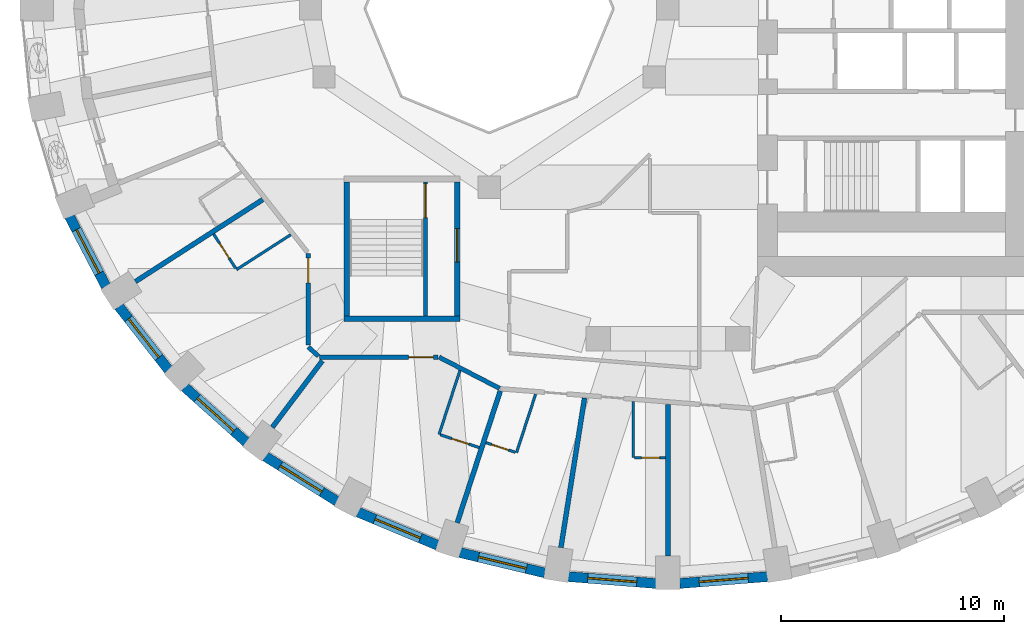
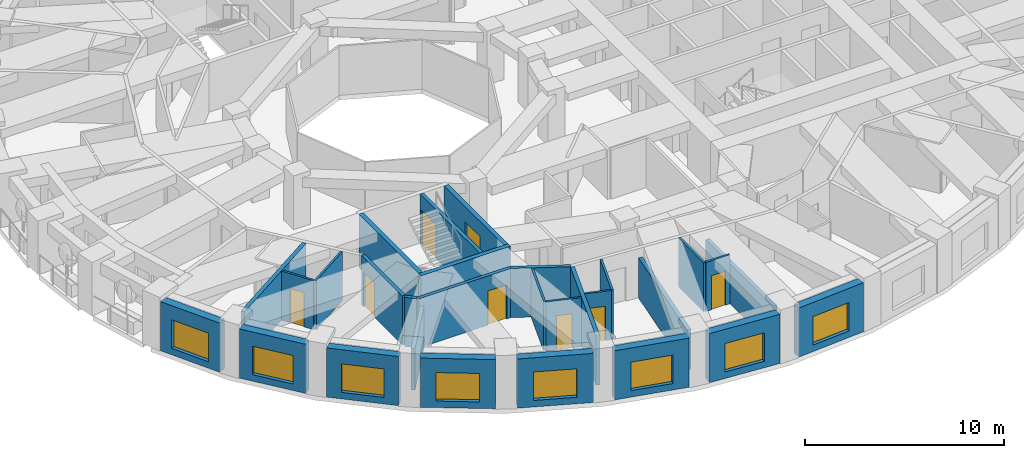
# One storey, part 3 of 13: 29 walls, 8 doors, 8 windows, 16 openings.
"""IFC4 building model written with IfcOpenShell, lengths in metres."""

from ifc_helpers import new_model, si_unit, direction, frame, frame_2d, origin, place, context, subcontext, project, spatial, rectangle, extrude, material, layer, layer_set, type_object, element, fill, save


model = new_model("IFC4")

# Units and contexts
model_context = context("Model", 3, precision=1e-05, world=origin(), true_north=direction((0.0, 1.0)))
body_context = subcontext(model_context, "Body", "Model", "MODEL_VIEW")
ifc_project = project(units=[si_unit("LENGTHUNIT", "METRE"), si_unit("AREAUNIT", "SQUARE_METRE"), si_unit("VOLUMEUNIT", "CUBIC_METRE"), si_unit("PLANEANGLEUNIT", "RADIAN"), si_unit("MASSUNIT", "GRAM", prefix="KILO")], contexts=[model_context])

# Site, building, storey
site_placement = place(None, origin())
site = spatial("IfcSite", under=ifc_project, at=site_placement, CompositionType="ELEMENT")
building_placement = place(site_placement, origin())
building = spatial("IfcBuilding", under=site, at=building_placement, Name="Taillehof Tower", CompositionType="ELEMENT")
storey_placement = place(building_placement, frame((0.0, 0.0, 64.60009765625)))
storey = spatial("IfcBuildingStorey", under=building, at=storey_placement, Name="L17", CompositionType="ELEMENT", Elevation=64.60009765625)

# Wall, opening, window
ifc_material_1 = material(Name="Brick masonry", Category="masonry")
ifc_layer_1 = layer(ifc_material_1, 0.449951171875)
ifc_layer_set_1 = layer_set([ifc_layer_1], Name="Brick infill wall 450")
wall_type_1 = type_object("IfcWallType", Name="Brick infill wall 450", PredefinedType="SOLIDWALL", material=ifc_layer_set_1)
wall_1_placement = place(storey_placement, frame((-26.78564453125, -9.30517578125, 0.0), z_axis=(0.0, 0.0, 1.0), x_axis=(0.462492775226, -0.886623050041, 0.0)))
wall_1 = element("IfcWall", 1, at=wall_1_placement, inside=storey, type_object=wall_type_1, Name="Brick wall L17 bay 21", PredefinedType="SOLIDWALL", context=body_context, shape_type="SweptSolid", body=[
    extrude(rectangle(XDim=3.531982421875, YDim=0.449951171875, at=frame_2d((1.76611328125, 0.0))), origin(), (0.0, 0.0, 1.0), 3.02001953125),
])
opening_1_placement = place(wall_1_placement, frame((0.666015625, 0.0, 0.39990234375)))
opening_1 = element("IfcOpeningElement", 2, at=opening_1_placement, cuts=wall_1, Name="Opening W1", PredefinedType="OPENING", context=body_context, shape_type="SweptSolid", body=[
    extrude(rectangle(XDim=2.199951171875, YDim=1.75, at=frame_2d((1.10009765625, 0.875))), frame((0.0, 0.23486328125, 0.0), z_axis=(0.0, -1.0, 0.0), x_axis=(1.0, 0.0, 0.0)), (0.0, 0.0, 1.0), 0.469970703125),
])
ifc_material_2 = material(Name="Aluminium window frame with clear double glazing", Category="aluminium")
window_type = type_object("IfcWindowType", Name="Deep-set window 2200x1750", PartitioningType="SINGLE_PANEL", PredefinedType="WINDOW", material=ifc_material_2)
window_1_placement = place(opening_1_placement, origin())
window_1 = element("IfcWindow", 3, at=window_1_placement, inside=storey, type_object=window_type, Name="W1", OverallHeight=1.75, OverallWidth=2.199951171875, PartitioningType="SINGLE_PANEL", PredefinedType="WINDOW", context=body_context, shape_type="SweptSolid", body=[
    extrude(rectangle(XDim=2.199951171875, YDim=1.75, at=frame_2d((1.10009765625, 0.875))), frame((0.0, 0.034912109375, 0.0), z_axis=(0.0, -1.0, 0.0), x_axis=(1.0, 0.0, 0.0)), (0.0, 0.0, 1.0), 0.06005859375),
])
fill(opening_1, window_1)

wall_2_placement = place(storey_placement, frame((-24.57763671875, -13.327880859375, 0.0), z_axis=(0.0, 0.0, 1.0), x_axis=(0.616661975264, -0.787228053529, 0.0)))
wall_2 = element("IfcWall", 4, at=wall_2_placement, inside=storey, type_object=wall_type_1, Name="Brick wall L17 bay 22", PredefinedType="SOLIDWALL", context=body_context, shape_type="SweptSolid", body=[
    extrude(rectangle(XDim=3.60986328125, YDim=0.449951171875, at=frame_2d((1.804931640625, 0.0))), origin(), (0.0, 0.0, 1.0), 3.02001953125),
])
opening_2_placement = place(wall_2_placement, frame((0.704833984375, 0.0, 0.39990234375)))
opening_2 = element("IfcOpeningElement", 5, at=opening_2_placement, cuts=wall_2, Name="Opening W1", PredefinedType="OPENING", context=body_context, shape_type="SweptSolid", body=[
    extrude(rectangle(XDim=2.199951171875, YDim=1.75, at=frame_2d((1.10009765625, 0.875))), frame((0.0, 0.23486328125, 0.0), z_axis=(0.0, -1.0, 0.0), x_axis=(1.0, 0.0, 0.0)), (0.0, 0.0, 1.0), 0.469970703125),
])
window_2_placement = place(opening_2_placement, origin())
window_2 = element("IfcWindow", 6, at=window_2_placement, inside=storey, type_object=window_type, Name="W1", OverallHeight=1.75, OverallWidth=2.199951171875, PartitioningType="SINGLE_PANEL", PredefinedType="WINDOW", context=body_context, shape_type="SweptSolid", body=[
    extrude(rectangle(XDim=2.199951171875, YDim=1.75, at=frame_2d((1.10009765625, 0.875))), frame((0.0, 0.034912109375, 0.0), z_axis=(0.0, -1.0, 0.0), x_axis=(1.0, 0.0, 0.0)), (0.0, 0.0, 1.0), 0.06005859375),
])
fill(opening_2, window_2)

wall_3_placement = place(storey_placement, frame((-21.626708984375, -16.943115234375, 0.0), z_axis=(0.0, 0.0, 1.0), x_axis=(0.745526233716, -0.66647628228, 0.0)))
wall_3 = element("IfcWall", 7, at=wall_3_placement, inside=storey, type_object=wall_type_1, Name="Brick wall L17 bay 23", PredefinedType="SOLIDWALL", context=body_context, shape_type="SweptSolid", body=[
    extrude(rectangle(XDim=3.69677734375, YDim=0.449951171875, at=frame_2d((1.848388671875, 0.0))), origin(), (0.0, 0.0, 1.0), 3.02001953125),
])
opening_3_placement = place(wall_3_placement, frame((0.74853515625, 0.0, 0.39990234375)))
opening_3 = element("IfcOpeningElement", 8, at=opening_3_placement, cuts=wall_3, Name="Opening W1", PredefinedType="OPENING", context=body_context, shape_type="SweptSolid", body=[
    extrude(rectangle(XDim=2.199951171875, YDim=1.75, at=frame_2d((1.10009765625, 0.875))), frame((0.0, 0.23486328125, 0.0), z_axis=(0.0, -1.0, 0.0), x_axis=(1.0, 0.0, 0.0)), (0.0, 0.0, 1.0), 0.469970703125),
])
window_3_placement = place(opening_3_placement, origin())
window_3 = element("IfcWindow", 9, at=window_3_placement, inside=storey, type_object=window_type, Name="W1", OverallHeight=1.75, OverallWidth=2.199951171875, PartitioningType="SINGLE_PANEL", PredefinedType="WINDOW", context=body_context, shape_type="SweptSolid", body=[
    extrude(rectangle(XDim=2.199951171875, YDim=1.75, at=frame_2d((1.10009765625, 0.875))), frame((0.0, 0.034912109375, 0.0), z_axis=(0.0, -1.0, 0.0), x_axis=(1.0, 0.0, 0.0)), (0.0, 0.0, 1.0), 0.06005859375),
])
fill(opening_3, window_3)

wall_4_placement = place(storey_placement, frame((-18.02294921875, -20.043701171875, 0.0), z_axis=(0.0, 0.0, 1.0), x_axis=(0.847635480093, -0.530579016629, 0.0)))
wall_4 = element("IfcWall", 10, at=wall_4_placement, inside=storey, type_object=wall_type_1, Name="Brick wall L17 bay 24", PredefinedType="SOLIDWALL", context=body_context, shape_type="SweptSolid", body=[
    extrude(rectangle(XDim=3.782470703125, YDim=0.449951171875, at=frame_2d((1.89111328125, 0.0))), origin(), (0.0, 0.0, 1.0), 3.02001953125),
])
opening_4_placement = place(wall_4_placement, frame((0.791259765625, 0.0, 0.39990234375)))
opening_4 = element("IfcOpeningElement", 11, at=opening_4_placement, cuts=wall_4, Name="Opening W1", PredefinedType="OPENING", context=body_context, shape_type="SweptSolid", body=[
    extrude(rectangle(XDim=2.199951171875, YDim=1.75, at=frame_2d((1.10009765625, 0.875))), frame((0.0, 0.23486328125, 0.0), z_axis=(0.0, -1.0, 0.0), x_axis=(1.0, 0.0, 0.0)), (0.0, 0.0, 1.0), 0.469970703125),
])
window_4_placement = place(opening_4_placement, origin())
window_4 = element("IfcWindow", 12, at=window_4_placement, inside=storey, type_object=window_type, Name="W1", OverallHeight=1.75, OverallWidth=2.199951171875, PartitioningType="SINGLE_PANEL", PredefinedType="WINDOW", context=body_context, shape_type="SweptSolid", body=[
    extrude(rectangle(XDim=2.199951171875, YDim=1.75, at=frame_2d((1.10009765625, 0.875))), frame((0.0, 0.034912109375, 0.0), z_axis=(0.0, -1.0, 0.0), x_axis=(1.0, 0.0, 0.0)), (0.0, 0.0, 1.0), 0.06005859375),
])
fill(opening_4, window_4)

wall_5_placement = place(storey_placement, frame((-13.875, -22.537353515625, 0.0), z_axis=(0.0, 0.0, 1.0), x_axis=(0.923031964282, -0.384723267966, 0.0)))
wall_5 = element("IfcWall", 13, at=wall_5_placement, inside=storey, type_object=wall_type_1, Name="Brick wall L17 bay 25", PredefinedType="SOLIDWALL", context=body_context, shape_type="SweptSolid", body=[
    extrude(rectangle(XDim=3.8564453125, YDim=0.449951171875, at=frame_2d((1.92822265625, 0.0))), origin(), (0.0, 0.0, 1.0), 3.02001953125),
])
opening_5_placement = place(wall_5_placement, frame((0.828125, 0.0, 0.39990234375)))
opening_5 = element("IfcOpeningElement", 14, at=opening_5_placement, cuts=wall_5, Name="Opening W1", PredefinedType="OPENING", context=body_context, shape_type="SweptSolid", body=[
    extrude(rectangle(XDim=2.199951171875, YDim=1.75, at=frame_2d((1.10009765625, 0.875))), frame((0.0, 0.23486328125, 0.0), z_axis=(0.0, -1.0, 0.0), x_axis=(1.0, 0.0, 0.0)), (0.0, 0.0, 1.0), 0.469970703125),
])
window_5_placement = place(opening_5_placement, origin())
window_5 = element("IfcWindow", 15, at=window_5_placement, inside=storey, type_object=window_type, Name="W1", OverallHeight=1.75, OverallWidth=2.199951171875, PartitioningType="SINGLE_PANEL", PredefinedType="WINDOW", context=body_context, shape_type="SweptSolid", body=[
    extrude(rectangle(XDim=2.199951171875, YDim=1.75, at=frame_2d((1.10009765625, 0.875))), frame((0.0, 0.034912109375, 0.0), z_axis=(0.0, -1.0, 0.0), x_axis=(1.0, 0.0, 0.0)), (0.0, 0.0, 1.0), 0.06005859375),
])
fill(opening_5, window_5)

wall_6_placement = place(storey_placement, frame((-9.3076171875, -24.349609375, 0.0), z_axis=(0.0, 0.0, 1.0), x_axis=(0.972496561493, -0.232917233979, 0.0)))
wall_6 = element("IfcWall", 16, at=wall_6_placement, inside=storey, type_object=wall_type_1, Name="Brick wall L17 bay 26", PredefinedType="SOLIDWALL", context=body_context, shape_type="SweptSolid", body=[
    extrude(rectangle(XDim=3.910888671875, YDim=0.449951171875, at=frame_2d((1.95556640625, 0.0))), origin(), (0.0, 0.0, 1.0), 3.02001953125),
])
opening_6_placement = place(wall_6_placement, frame((0.855224609375, 0.0, 0.39990234375)))
opening_6 = element("IfcOpeningElement", 17, at=opening_6_placement, cuts=wall_6, Name="Opening W1", PredefinedType="OPENING", context=body_context, shape_type="SweptSolid", body=[
    extrude(rectangle(XDim=2.199951171875, YDim=1.75, at=frame_2d((1.10009765625, 0.875))), frame((0.0, 0.23486328125, 0.0), z_axis=(0.0, -1.0, 0.0), x_axis=(1.0, 0.0, 0.0)), (0.0, 0.0, 1.0), 0.469970703125),
])
window_6_placement = place(opening_6_placement, origin())
window_6 = element("IfcWindow", 18, at=window_6_placement, inside=storey, type_object=window_type, Name="W1", OverallHeight=1.75, OverallWidth=2.199951171875, PartitioningType="SINGLE_PANEL", PredefinedType="WINDOW", context=body_context, shape_type="SweptSolid", body=[
    extrude(rectangle(XDim=2.199951171875, YDim=1.75, at=frame_2d((1.10009765625, 0.875))), frame((0.0, 0.034912109375, 0.0), z_axis=(0.0, -1.0, 0.0), x_axis=(1.0, 0.0, 0.0)), (0.0, 0.0, 1.0), 0.06005859375),
])
fill(opening_6, window_6)

wall_7_placement = place(storey_placement, frame((-4.457275390625, -25.42578125, 0.0), z_axis=(0.0, 0.0, 1.0), x_axis=(0.996955972145, -0.077966592873, 0.0)))
wall_7 = element("IfcWall", 19, at=wall_7_placement, inside=storey, type_object=wall_type_1, Name="Brick wall L17 bay 27", PredefinedType="SOLIDWALL", context=body_context, shape_type="SweptSolid", body=[
    extrude(rectangle(XDim=3.939208984375, YDim=0.449951171875, at=frame_2d((1.9697265625, 0.0))), origin(), (0.0, 0.0, 1.0), 3.02001953125),
])
opening_7_placement = place(wall_7_placement, frame((0.86962890625, 0.0, 0.39990234375)))
opening_7 = element("IfcOpeningElement", 20, at=opening_7_placement, cuts=wall_7, Name="Opening W1", PredefinedType="OPENING", context=body_context, shape_type="SweptSolid", body=[
    extrude(rectangle(XDim=2.199951171875, YDim=1.75, at=frame_2d((1.10009765625, 0.875))), frame((0.0, 0.23486328125, 0.0), z_axis=(0.0, -1.0, 0.0), x_axis=(1.0, 0.0, 0.0)), (0.0, 0.0, 1.0), 0.469970703125),
])
window_7_placement = place(opening_7_placement, origin())
window_7 = element("IfcWindow", 21, at=window_7_placement, inside=storey, type_object=window_type, Name="W1", OverallHeight=1.75, OverallWidth=2.199951171875, PartitioningType="SINGLE_PANEL", PredefinedType="WINDOW", context=body_context, shape_type="SweptSolid", body=[
    extrude(rectangle(XDim=2.199951171875, YDim=1.75, at=frame_2d((1.10009765625, 0.875))), frame((0.0, 0.034912109375, 0.0), z_axis=(0.0, -1.0, 0.0), x_axis=(1.0, 0.0, 0.0)), (0.0, 0.0, 1.0), 0.06005859375),
])
fill(opening_7, window_7)

wall_8_placement = place(storey_placement, frame((0.530029296875, -25.73291015625, 0.0), z_axis=(0.0, 0.0, 1.0), x_axis=(0.996955972145, 0.077966592873, 0.0)))
wall_8 = element("IfcWall", 22, at=wall_8_placement, inside=storey, type_object=wall_type_1, Name="Brick wall L17 bay 28", PredefinedType="SOLIDWALL", context=body_context, shape_type="SweptSolid", body=[
    extrude(rectangle(XDim=3.939208984375, YDim=0.449951171875, at=frame_2d((1.9697265625, 0.0))), origin(), (0.0, 0.0, 1.0), 3.02001953125),
])
opening_8_placement = place(wall_8_placement, frame((0.86962890625, 0.0, 0.39990234375)))
opening_8 = element("IfcOpeningElement", 23, at=opening_8_placement, cuts=wall_8, Name="Opening W1", PredefinedType="OPENING", context=body_context, shape_type="SweptSolid", body=[
    extrude(rectangle(XDim=2.199951171875, YDim=1.75, at=frame_2d((1.10009765625, 0.875))), frame((0.0, 0.23486328125, 0.0), z_axis=(0.0, -1.0, 0.0), x_axis=(1.0, 0.0, 0.0)), (0.0, 0.0, 1.0), 0.469970703125),
])
window_8_placement = place(opening_8_placement, origin())
window_8 = element("IfcWindow", 24, at=window_8_placement, inside=storey, type_object=window_type, Name="W1", OverallHeight=1.75, OverallWidth=2.199951171875, PartitioningType="SINGLE_PANEL", PredefinedType="WINDOW", context=body_context, shape_type="SweptSolid", body=[
    extrude(rectangle(XDim=2.199951171875, YDim=1.75, at=frame_2d((1.10009765625, 0.875))), frame((0.0, 0.034912109375, 0.0), z_axis=(0.0, -1.0, 0.0), x_axis=(1.0, 0.0, 0.0)), (0.0, 0.0, 1.0), 0.06005859375),
])
fill(opening_8, window_8)

# Wall
ifc_material_3 = material(Name="Gypsum board on steel studs, two layers each side", Category="steel")
ifc_layer_2 = layer(ifc_material_3, 0.199951171875)
ifc_layer_set_2 = layer_set([ifc_layer_2], Name="Compartment wall corridor 200")
wall_type_2 = type_object("IfcWallType", Name="Compartment wall corridor 200", PredefinedType="PARTITIONING", material=ifc_layer_set_2)
wall_9_placement = place(storey_placement, frame((-7.534423828125, -16.998291015625, 0.0), z_axis=(0.0, 0.0, 1.0), x_axis=(-0.888535328052, 0.458808206992, 0.0)))
element("IfcWall", 25, at=wall_9_placement, inside=storey, type_object=wall_type_2, Name="Compartment wall", PredefinedType="PARTITIONING", context=body_context, shape_type="SweptSolid", body=[
    extrude(rectangle(XDim=3.04736328125, YDim=0.199951171875, at=frame_2d((1.523681640625, 0.0))), origin(), (0.0, 0.0, 1.0), 3.02001953125),
])

# Wall, opening, door
wall_10_placement = place(storey_placement, frame((-10.2822265625, -15.60009765625, 0.0), z_axis=(0.0, 0.0, 1.0), x_axis=(-1.0, 0.0, 0.0)))
wall_10 = element("IfcWall", 26, at=wall_10_placement, inside=storey, type_object=wall_type_2, Name="Compartment wall", PredefinedType="PARTITIONING", context=body_context, shape_type="SweptSolid", body=[
    extrude(rectangle(XDim=5.309326171875, YDim=0.199951171875, at=frame_2d((2.65478515625, 0.0))), origin(), (0.0, 0.0, 1.0), 3.02001953125),
])
opening_9_placement = place(wall_10_placement, frame((0.219970703125, 0.0, 0.0)))
opening_9 = element("IfcOpeningElement", 27, at=opening_9_placement, cuts=wall_10, Name="Opening D1764", PredefinedType="OPENING", context=body_context, shape_type="SweptSolid", body=[
    extrude(rectangle(XDim=1.10009765625, YDim=2.10009765625, at=frame_2d((0.550048828125, 1.050048828125))), frame((0.0, 0.10986328125, 0.0), z_axis=(0.0, -1.0, 0.0), x_axis=(1.0, 0.0, 0.0)), (0.0, 0.0, 1.0), 0.219970703125),
])
ifc_material_4 = material(Name="Timber door leaf in steel frame", Category="steel")
door_type_1 = type_object("IfcDoorType", Name="Suite entrance door EI 30 1100 x 2100", OperationType="SINGLE_SWING_LEFT", PredefinedType="DOOR", material=ifc_material_4)
door_1_placement = place(opening_9_placement, origin())
door_1 = element("IfcDoor", 28, at=door_1_placement, inside=storey, type_object=door_type_1, Name="D1764", OperationType="SINGLE_SWING_LEFT", OverallHeight=2.10009765625, OverallWidth=1.10009765625, PredefinedType="DOOR", context=body_context, shape_type="SweptSolid", body=[
    extrude(rectangle(XDim=1.10009765625, YDim=2.10009765625, at=frame_2d((0.550048828125, 1.050048828125))), frame((0.0, 0.02490234375, 0.0), z_axis=(0.0, -1.0, 0.0), x_axis=(1.0, 0.0, 0.0)), (0.0, 0.0, 1.0), 0.050048828125),
])
fill(opening_9, door_1)

# Wall
wall_11_placement = place(storey_placement, frame((-15.63623046875, -15.559814453125, 0.0), z_axis=(0.0, 0.0, 1.0), x_axis=(-0.744656758283, 0.667447610187, 0.0)))
element("IfcWall", 29, at=wall_11_placement, inside=storey, type_object=wall_type_2, Name="Compartment wall", PredefinedType="PARTITIONING", context=body_context, shape_type="SweptSolid", body=[
    extrude(rectangle(XDim=0.623046875, YDim=0.199951171875, at=frame_2d((0.3115234375, 0.0))), origin(), (0.0, 0.0, 1.0), 3.02001953125),
])

# Wall, opening, door
wall_12_placement = place(storey_placement, frame((-16.10009765625, -15.06396484375, 0.0), z_axis=(0.0, 0.0, 1.0), x_axis=(0.0, 1.0, 0.0)))
wall_12 = element("IfcWall", 30, at=wall_12_placement, inside=storey, type_object=wall_type_2, Name="Compartment wall", PredefinedType="PARTITIONING", context=body_context, shape_type="SweptSolid", body=[
    extrude(rectangle(XDim=4.113037109375, YDim=0.199951171875, at=frame_2d((2.056640625, 0.0))), origin(), (0.0, 0.0, 1.0), 3.02001953125),
])
opening_10_placement = place(wall_12_placement, frame((2.79296875, 0.0, 0.0)))
opening_10 = element("IfcOpeningElement", 31, at=opening_10_placement, cuts=wall_12, Name="Opening D1762", PredefinedType="OPENING", context=body_context, shape_type="SweptSolid", body=[
    extrude(rectangle(XDim=1.10009765625, YDim=2.10009765625, at=frame_2d((0.550048828125, 1.050048828125))), frame((0.0, 0.10986328125, 0.0), z_axis=(0.0, -1.0, 0.0), x_axis=(1.0, 0.0, 0.0)), (0.0, 0.0, 1.0), 0.219970703125),
])
door_2_placement = place(opening_10_placement, origin())
door_2 = element("IfcDoor", 32, at=door_2_placement, inside=storey, type_object=door_type_1, Name="D1762", OperationType="SINGLE_SWING_RIGHT", OverallHeight=2.10009765625, OverallWidth=1.10009765625, PredefinedType="DOOR", context=body_context, shape_type="SweptSolid", body=[
    extrude(rectangle(XDim=1.10009765625, YDim=2.10009765625, at=frame_2d((0.550048828125, 1.050048828125))), frame((0.0, 0.02490234375, 0.0), z_axis=(0.0, -1.0, 0.0), x_axis=(1.0, 0.0, 0.0)), (0.0, 0.0, 1.0), 0.050048828125),
])
fill(opening_10, door_2)

# Walls
ifc_material_5 = material(Name="Gypsum board on double steel studs with mineral wool", Category="steel")
ifc_layer_3 = layer(ifc_material_5, 0.219970703125)
ifc_layer_set_3 = layer_set([ifc_layer_3], Name="Compartment wall guest room 220")
wall_type_3 = type_object("IfcWallType", Name="Compartment wall guest room 220", PredefinedType="PARTITIONING", material=ifc_layer_set_3)
wall_13_placement = place(storey_placement, frame((-23.834716796875, -12.218994140625, 0.0), z_axis=(0.0, 0.0, 1.0), x_axis=(0.840749666863, 0.541424046076, 0.0)))
element("IfcWall", 33, at=wall_13_placement, inside=storey, type_object=wall_type_3, Name="Compartment wall", PredefinedType="PARTITIONING", context=body_context, shape_type="SweptSolid", body=[
    extrude(rectangle(XDim=6.774658203125, YDim=0.219970703125, at=frame_2d((3.38720703125, 0.0))), origin(), (0.0, 0.0, 1.0), 3.02001953125),
])
wall_14_placement = place(storey_placement, frame((-17.707763671875, -18.7431640625, 0.0), z_axis=(0.0, 0.0, 1.0), x_axis=(0.601172757903, 0.799119086967, 0.0)))
element("IfcWall", 34, at=wall_14_placement, inside=storey, type_object=wall_type_3, Name="Compartment wall", PredefinedType="PARTITIONING", context=body_context, shape_type="SweptSolid", body=[
    extrude(rectangle(XDim=3.728515625, YDim=0.219970703125, at=frame_2d((1.8642578125, 0.0))), origin(), (0.0, 0.0, 1.0), 2.56982421875),
])
wall_15_placement = place(storey_placement, frame((-9.429443359375, -23.01416015625, 0.0), z_axis=(0.0, 0.0, 1.0), x_axis=(0.310235573501, 0.950659712481, 0.0)))
element("IfcWall", 35, at=wall_15_placement, inside=storey, type_object=wall_type_3, Name="Compartment wall", PredefinedType="PARTITIONING", context=body_context, shape_type="SweptSolid", body=[
    extrude(rectangle(XDim=6.20361328125, YDim=0.219970703125, at=frame_2d((3.101806640625, 0.0))), origin(), (0.0, 0.0, 1.0), 3.02001953125),
])
for number, where, z_axis, x_axis, name in (
    (36, (-4.788330078125, -24.12548828125, 0.0), (0.0, 0.0, 1.0), (0.156127209873, 0.987736956045, 0.0), "Compartment wall"),
    (37, (0.0, -24.5, 0.0), (0.0, 0.0, 1.0), (0.0, 1.0, 0.0), "Compartment wall"),
):
    element("IfcWall", number, at=place(storey_placement, frame(where, z_axis=z_axis, x_axis=x_axis)), inside=storey, type_object=wall_type_3, Name=name, PredefinedType="PARTITIONING", context=body_context, shape_type="SweptSolid", body=[
        extrude(rectangle(XDim=6.777099609375, YDim=0.219970703125, at=frame_2d((3.388671875, 0.0))), origin(), (0.0, 0.0, 1.0), 2.469970703125),
    ])
ifc_material_6 = material(Name="Gypsum board on steel studs, moisture resistant", Category="steel")
ifc_layer_4 = layer(ifc_material_6, 0.1201171875)
ifc_layer_set_4 = layer_set([ifc_layer_4], Name="En-suite wall 120")
wall_type_4 = type_object("IfcWallType", Name="En-suite wall 120", PredefinedType="PARTITIONING", material=ifc_layer_set_4)
wall_16_placement = place(storey_placement, frame((-16.880615234375, -10.11962890625, 0.0), z_axis=(0.0, 0.0, 1.0), x_axis=(-0.840749755927, -0.541423907773, 0.0)))
element("IfcWall", 38, at=wall_16_placement, inside=storey, type_object=wall_type_4, Name="En-suite wall", PredefinedType="PARTITIONING", context=body_context, shape_type="SweptSolid", body=[
    extrude(rectangle(XDim=2.88818359375, YDim=0.1201171875, at=frame_2d((1.444091796875, 0.0))), origin(), (0.0, 0.0, 1.0), 3.02001953125),
])
wall_17_placement = place(storey_placement, frame((-9.30810546875, -16.195068359375, 0.0), z_axis=(0.0, 0.0, 1.0), x_axis=(-0.310170219214, -0.950681037527, 0.0)))
element("IfcWall", 39, at=wall_17_placement, inside=storey, type_object=wall_type_4, Name="En-suite wall", PredefinedType="PARTITIONING", context=body_context, shape_type="SweptSolid", body=[
    extrude(rectangle(XDim=3.013916015625, YDim=0.1201171875, at=frame_2d((1.5068359375, 0.0))), origin(), (0.0, 0.0, 1.0), 3.02001953125),
])
wall_18_placement = place(storey_placement, frame((-5.921142578125, -17.259765625, 0.0), z_axis=(0.0, 0.0, 1.0), x_axis=(-0.310180943487, -0.950677538547, 0.0)))
element("IfcWall", 40, at=wall_18_placement, inside=storey, type_object=wall_type_4, Name="En-suite wall", PredefinedType="PARTITIONING", context=body_context, shape_type="SweptSolid", body=[
    extrude(rectangle(XDim=2.75244140625, YDim=0.1201171875, at=frame_2d((1.376220703125, 0.0))), origin(), (0.0, 0.0, 1.0), 3.02001953125),
])
wall_19_placement = place(storey_placement, frame((-1.550048828125, -17.581787109375, 0.0), z_axis=(0.0, 0.0, 1.0), x_axis=(0.0, -1.0, 0.0)))
element("IfcWall", 41, at=wall_19_placement, inside=storey, type_object=wall_type_4, Name="En-suite wall", PredefinedType="PARTITIONING", context=body_context, shape_type="SweptSolid", body=[
    extrude(rectangle(XDim=2.520751953125, YDim=0.1201171875, at=frame_2d((1.26025390625, 0.0))), origin(), (0.0, 0.0, 1.0), 3.02001953125),
])

# Wall, opening, door
wall_20_placement = place(storey_placement, frame((-19.34130859375, -11.6328125, 0.0), z_axis=(0.0, 0.0, 1.0), x_axis=(-0.541391271501, 0.840770772055, 0.0)))
wall_20 = element("IfcWall", 42, at=wall_20_placement, inside=storey, type_object=wall_type_4, Name="En-suite wall", PredefinedType="PARTITIONING", context=body_context, shape_type="SweptSolid", body=[
    extrude(rectangle(XDim=1.830078125, YDim=0.1201171875, at=frame_2d((0.9150390625, 0.0))), origin(), (0.0, 0.0, 1.0), 3.02001953125),
])
opening_11_placement = place(wall_20_placement, frame((0.5400390625, 0.0, 0.0)))
opening_11 = element("IfcOpeningElement", 43, at=opening_11_placement, cuts=wall_20, Name="Opening D1763", PredefinedType="OPENING", context=body_context, shape_type="SweptSolid", body=[
    extrude(rectangle(XDim=0.800048828125, YDim=2.10009765625, at=frame_2d((0.39990234375, 1.050048828125))), frame((0.0, 0.070068359375, 0.0), z_axis=(0.0, -1.0, 0.0), x_axis=(1.0, 0.0, 0.0)), (0.0, 0.0, 1.0), 0.14013671875),
])
ifc_material_7 = material(Name="Timber door leaf in steel frame", Category="steel")
door_type_2 = type_object("IfcDoorType", Name="En-suite door 800 x 2100", OperationType="SINGLE_SWING_LEFT", PredefinedType="DOOR", material=ifc_material_7)
door_3_placement = place(opening_11_placement, origin())
door_3 = element("IfcDoor", 44, at=door_3_placement, inside=storey, type_object=door_type_2, Name="D1763", OperationType="SINGLE_SWING_RIGHT", OverallHeight=2.10009765625, OverallWidth=0.800048828125, PredefinedType="DOOR", context=body_context, shape_type="SweptSolid", body=[
    extrude(rectangle(XDim=0.800048828125, YDim=2.10009765625, at=frame_2d((0.39990234375, 1.050048828125))), frame((0.0, 0.02490234375, 0.0), z_axis=(0.0, -1.0, 0.0), x_axis=(1.0, 0.0, 0.0)), (0.0, 0.0, 1.0), 0.050048828125),
])
fill(opening_11, door_3)

wall_21_placement = place(storey_placement, frame((-10.185791015625, -19.078857421875, 0.0), z_axis=(0.0, 0.0, 1.0), x_axis=(0.950678536911, -0.31017788357, 0.0)))
wall_21 = element("IfcWall", 45, at=wall_21_placement, inside=storey, type_object=wall_type_4, Name="En-suite wall", PredefinedType="PARTITIONING", context=body_context, shape_type="SweptSolid", body=[
    extrude(rectangle(XDim=1.830078125, YDim=0.1201171875, at=frame_2d((0.9150390625, 0.0))), origin(), (0.0, 0.0, 1.0), 3.02001953125),
])
opening_12_placement = place(wall_21_placement, frame((0.539794921875, 0.0, 0.0)))
opening_12 = element("IfcOpeningElement", 46, at=opening_12_placement, cuts=wall_21, Name="Opening D1765", PredefinedType="OPENING", context=body_context, shape_type="SweptSolid", body=[
    extrude(rectangle(XDim=0.800048828125, YDim=2.10009765625, at=frame_2d((0.39990234375, 1.050048828125))), frame((0.0, 0.070068359375, 0.0), z_axis=(0.0, -1.0, 0.0), x_axis=(1.0, 0.0, 0.0)), (0.0, 0.0, 1.0), 0.14013671875),
])
door_4_placement = place(opening_12_placement, origin())
door_4 = element("IfcDoor", 47, at=door_4_placement, inside=storey, type_object=door_type_2, Name="D1765", OperationType="SINGLE_SWING_LEFT", OverallHeight=2.10009765625, OverallWidth=0.800048828125, PredefinedType="DOOR", context=body_context, shape_type="SweptSolid", body=[
    extrude(rectangle(XDim=0.800048828125, YDim=2.10009765625, at=frame_2d((0.39990234375, 1.050048828125))), frame((0.0, 0.02490234375, 0.0), z_axis=(0.0, -1.0, 0.0), x_axis=(1.0, 0.0, 0.0)), (0.0, 0.0, 1.0), 0.050048828125),
])
fill(opening_12, door_4)

wall_22_placement = place(storey_placement, frame((-6.83203125, -19.85791015625, 0.0), z_axis=(0.0, 0.0, 1.0), x_axis=(-0.950645927723, 0.31027781117, 0.0)))
wall_22 = element("IfcWall", 48, at=wall_22_placement, inside=storey, type_object=wall_type_4, Name="En-suite wall", PredefinedType="PARTITIONING", context=body_context, shape_type="SweptSolid", body=[
    extrude(rectangle(XDim=1.380126953125, YDim=0.1201171875, at=frame_2d((0.68994140625, 0.0))), origin(), (0.0, 0.0, 1.0), 3.02001953125),
])
opening_13_placement = place(wall_22_placement, frame((0.315185546875, 0.0, 0.0)))
opening_13 = element("IfcOpeningElement", 49, at=opening_13_placement, cuts=wall_22, Name="Opening D1767", PredefinedType="OPENING", context=body_context, shape_type="SweptSolid", body=[
    extrude(rectangle(XDim=0.800048828125, YDim=2.10009765625, at=frame_2d((0.39990234375, 1.050048828125))), frame((0.0, 0.070068359375, 0.0), z_axis=(0.0, -1.0, 0.0), x_axis=(1.0, 0.0, 0.0)), (0.0, 0.0, 1.0), 0.14013671875),
])
door_5_placement = place(opening_13_placement, origin())
door_5 = element("IfcDoor", 50, at=door_5_placement, inside=storey, type_object=door_type_2, Name="D1767", OperationType="SINGLE_SWING_RIGHT", OverallHeight=2.10009765625, OverallWidth=0.800048828125, PredefinedType="DOOR", context=body_context, shape_type="SweptSolid", body=[
    extrude(rectangle(XDim=0.800048828125, YDim=2.10009765625, at=frame_2d((0.39990234375, 1.050048828125))), frame((0.0, 0.02490234375, 0.0), z_axis=(0.0, -1.0, 0.0), x_axis=(1.0, 0.0, 0.0)), (0.0, 0.0, 1.0), 0.050048828125),
])
fill(opening_13, door_5)

wall_23_placement = place(storey_placement, frame((-1.489990234375, -20.1025390625, 0.0), z_axis=(0.0, 0.0, 1.0), x_axis=(1.0, 0.0, 0.0)))
wall_23 = element("IfcWall", 51, at=wall_23_placement, inside=storey, type_object=wall_type_4, Name="En-suite wall", PredefinedType="PARTITIONING", context=body_context, shape_type="SweptSolid", body=[
    extrude(rectangle(XDim=1.3798828125, YDim=0.1201171875, at=frame_2d((0.68994140625, 0.0))), origin(), (0.0, 0.0, 1.0), 3.02001953125),
])
opening_14_placement = place(wall_23_placement, frame((0.31494140625, 0.0, 0.0)))
opening_14 = element("IfcOpeningElement", 52, at=opening_14_placement, cuts=wall_23, Name="Opening D1769", PredefinedType="OPENING", context=body_context, shape_type="SweptSolid", body=[
    extrude(rectangle(XDim=0.800048828125, YDim=2.10009765625, at=frame_2d((0.39990234375, 1.050048828125))), frame((0.0, 0.070068359375, 0.0), z_axis=(0.0, -1.0, 0.0), x_axis=(1.0, 0.0, 0.0)), (0.0, 0.0, 1.0), 0.14013671875),
])
door_6_placement = place(opening_14_placement, origin())
door_6 = element("IfcDoor", 53, at=door_6_placement, inside=storey, type_object=door_type_2, Name="D1769", OperationType="SINGLE_SWING_LEFT", OverallHeight=2.10009765625, OverallWidth=0.800048828125, PredefinedType="DOOR", context=body_context, shape_type="SweptSolid", body=[
    extrude(rectangle(XDim=0.800048828125, YDim=2.10009765625, at=frame_2d((0.39990234375, 1.050048828125))), frame((0.0, 0.02490234375, 0.0), z_axis=(0.0, -1.0, 0.0), x_axis=(1.0, 0.0, 0.0)), (0.0, 0.0, 1.0), 0.050048828125),
])
fill(opening_14, door_6)

ifc_material_8 = material(Name="Concrete C50/60", Category="concrete")
ifc_layer_5 = layer(ifc_material_8, 0.199951171875)
ifc_layer_set_5 = layer_set([ifc_layer_5], Name="Shaft wall C50/60 200")
wall_type_5 = type_object("IfcWallType", Name="Shaft wall C50/60 200", PredefinedType="SHEAR", material=ifc_layer_set_5)
wall_24_placement = place(storey_placement, frame((-10.85009765625, -13.75, 0.0), z_axis=(0.0, 0.0, 1.0), x_axis=(0.0, 1.0, 0.0)))
wall_24 = element("IfcWall", 54, at=wall_24_placement, inside=storey, type_object=wall_type_5, Name="Shaft wall SW", PredefinedType="SHEAR", context=body_context, shape_type="SweptSolid", body=[
    extrude(rectangle(XDim=6.0, YDim=0.199951171875, at=frame_2d((3.0, 0.0))), origin(), (0.0, 0.0, 1.0), 3.02001953125),
])
opening_15_placement = place(wall_24_placement, frame((4.39990234375, 0.0, 0.0)))
opening_15 = element("IfcOpeningElement", 55, at=opening_15_placement, cuts=wall_24, Name="Opening D1713", PredefinedType="OPENING", context=body_context, shape_type="SweptSolid", body=[
    extrude(rectangle(XDim=1.5, YDim=2.10009765625, at=frame_2d((0.75, 1.050048828125))), frame((0.0, 0.10986328125, 0.0), z_axis=(0.0, -1.0, 0.0), x_axis=(1.0, 0.0, 0.0)), (0.0, 0.0, 1.0), 0.219970703125),
])
ifc_material_9 = material(Name="Steel-faced fire door", Category="steel")
door_type_3 = type_object("IfcDoorType", Name="Stair door 1500x2100", OperationType="DOUBLE_DOOR_SINGLE_SWING", PredefinedType="DOOR", material=ifc_material_9)
door_7_placement = place(opening_15_placement, origin())
door_7 = element("IfcDoor", 56, at=door_7_placement, inside=storey, type_object=door_type_3, Name="Stair lobby door S4", OperationType="DOUBLE_DOOR_SINGLE_SWING", OverallHeight=2.10009765625, OverallWidth=1.5, PredefinedType="DOOR", context=body_context, shape_type="SweptSolid", body=[
    extrude(rectangle(XDim=1.5, YDim=2.10009765625, at=frame_2d((0.75, 1.050048828125))), frame((0.0, 0.02490234375, 0.0), z_axis=(0.0, -1.0, 0.0), x_axis=(1.0, 0.0, 0.0)), (0.0, 0.0, 1.0), 0.050048828125),
])
fill(opening_15, door_7)

# Wall
ifc_material_10 = material(Name="Concrete C50/60", Category="concrete")
ifc_layer_6 = layer(ifc_material_10, 0.25)
ifc_layer_set_6 = layer_set([ifc_layer_6], Name="Stair wall C50/60 250")
wall_type_6 = type_object("IfcWallType", Name="Stair wall C50/60 250", PredefinedType="SHEAR", material=ifc_layer_set_6)
wall_25_placement = place(storey_placement, frame((-14.375, -13.75, -0.280029296875), z_axis=(0.0, 0.0, 1.0), x_axis=(0.0, 1.0, 0.0)))
element("IfcWall", 57, at=wall_25_placement, inside=storey, type_object=wall_type_6, Name="Stair wall SC", PredefinedType="SHEAR", context=body_context, shape_type="SweptSolid", body=[
    extrude(rectangle(XDim=6.0, YDim=0.25, at=frame_2d((3.0, 0.0))), origin(), (0.0, 0.0, 1.0), 3.300048828125),
])

# Wall, opening, door
wall_26_placement = place(storey_placement, frame((-9.425048828125, -13.75, -0.280029296875), z_axis=(0.0, 0.0, 1.0), x_axis=(0.0, 1.0, 0.0)))
wall_26 = element("IfcWall", 58, at=wall_26_placement, inside=storey, type_object=wall_type_6, Name="Stair wall SC", PredefinedType="SHEAR", context=body_context, shape_type="SweptSolid", body=[
    extrude(rectangle(XDim=6.0, YDim=0.25, at=frame_2d((3.0, 0.0))), origin(), (0.0, 0.0, 1.0), 3.300048828125),
])
opening_16_placement = place(wall_26_placement, frame((2.39990234375, 0.0, 0.280029296875)))
opening_16 = element("IfcOpeningElement", 59, at=opening_16_placement, cuts=wall_26, Name="Opening D1720", PredefinedType="OPENING", context=body_context, shape_type="SweptSolid", body=[
    extrude(rectangle(XDim=1.5, YDim=2.10009765625, at=frame_2d((0.75, 1.050048828125))), frame((0.0, 0.135009765625, 0.0), z_axis=(0.0, -1.0, 0.0), x_axis=(1.0, 0.0, 0.0)), (0.0, 0.0, 1.0), 0.27001953125),
])
door_8_placement = place(opening_16_placement, origin())
door_8 = element("IfcDoor", 60, at=door_8_placement, inside=storey, type_object=door_type_3, Name="Stair door S4", OperationType="DOUBLE_DOOR_SINGLE_SWING", OverallHeight=2.10009765625, OverallWidth=1.5, PredefinedType="DOOR", context=body_context, shape_type="SweptSolid", body=[
    extrude(rectangle(XDim=1.5, YDim=2.10009765625, at=frame_2d((0.75, 1.050048828125))), frame((0.0, 0.02490234375, 0.0), z_axis=(0.0, -1.0, 0.0), x_axis=(1.0, 0.0, 0.0)), (0.0, 0.0, 1.0), 0.050048828125),
])
fill(opening_16, door_8)

# Wall
wall_27_placement = place(storey_placement, frame((-14.5, -13.875, -0.280029296875), z_axis=(0.0, 0.0, 1.0), x_axis=(1.0, 0.0, 0.0)))
element("IfcWall", 61, at=wall_27_placement, inside=storey, type_object=wall_type_6, Name="Stair wall SC", PredefinedType="SHEAR", context=body_context, shape_type="SweptSolid", body=[
    extrude(rectangle(XDim=5.199951171875, YDim=0.25, at=frame_2d((2.60009765625, 0.0))), origin(), (0.0, 0.0, 1.0), 3.300048828125),
])

save(model, "model.ifc")
